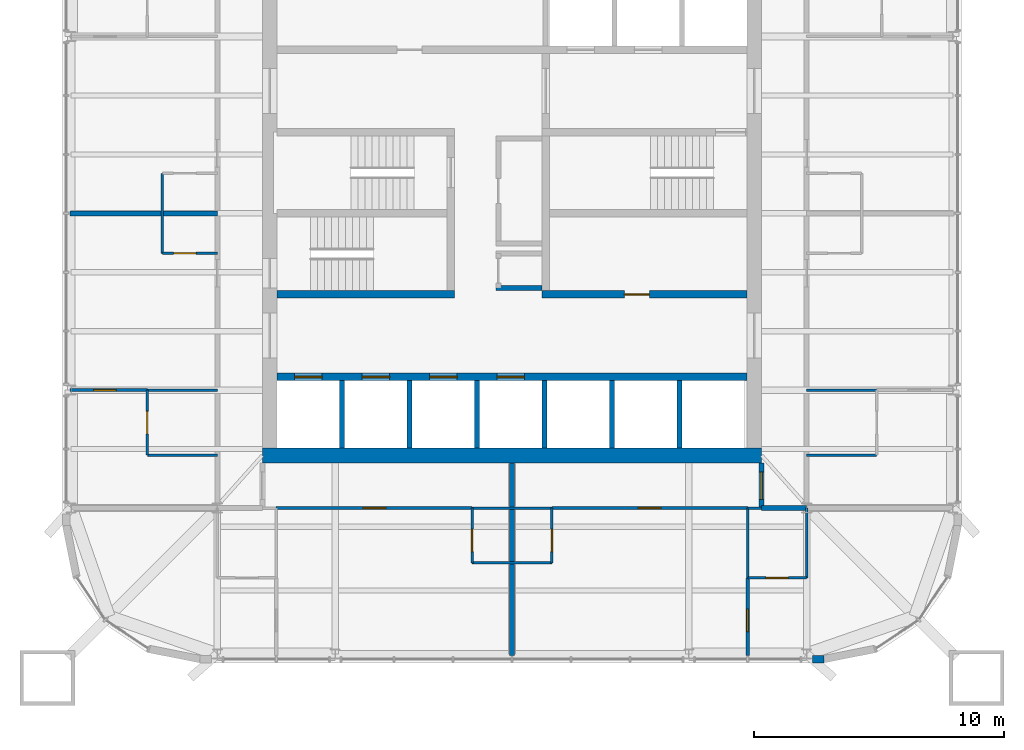
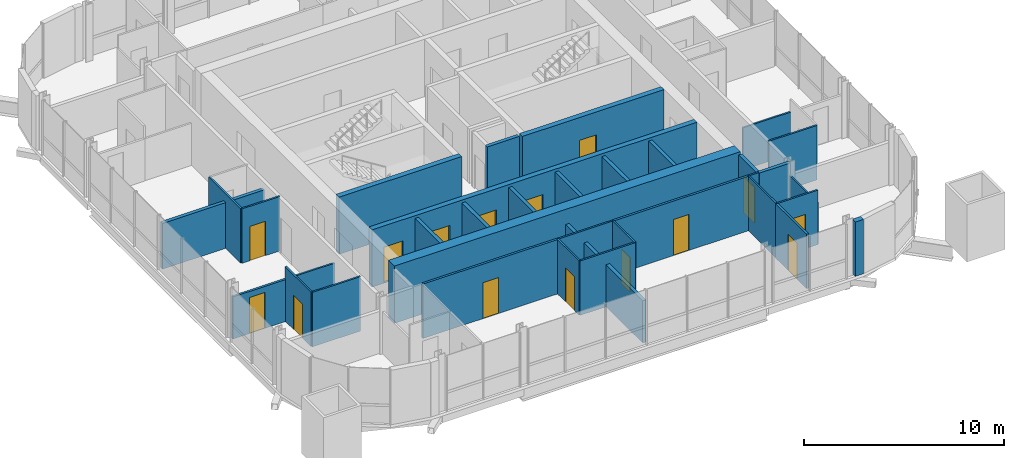
# One storey, part 8 of 12: 35 walls, 15 doors, 15 openings.
"""IFC4 building model written with IfcOpenShell, lengths in metres."""

from ifc_helpers import new_model, si_unit, direction, frame, frame_2d, origin, place, context, subcontext, project, spatial, rectangle, extrude, material, layer, layer_set, type_object, element, fill, save


model = new_model("IFC4")

# Units and contexts
model_context = context("Model", 3, precision=1e-05, world=origin(), true_north=direction((0.0, 1.0)))
body_context = subcontext(model_context, "Body", "Model", "MODEL_VIEW")
ifc_project = project(units=[si_unit("LENGTHUNIT", "METRE"), si_unit("AREAUNIT", "SQUARE_METRE"), si_unit("VOLUMEUNIT", "CUBIC_METRE"), si_unit("PLANEANGLEUNIT", "RADIAN"), si_unit("MASSUNIT", "GRAM", prefix="KILO")], contexts=[model_context])

# Site, building, storey
site_placement = place(None, origin())
site = spatial("IfcSite", under=ifc_project, at=site_placement, CompositionType="ELEMENT")
building_placement = place(site_placement, origin())
building = spatial("IfcBuilding", under=site, at=building_placement, Name="Turquesa Mirador Hotel Tower", CompositionType="ELEMENT")
storey_placement = place(building_placement, frame((0.0, 0.0, 233.699951171875)))
storey = spatial("IfcBuildingStorey", under=building, at=storey_placement, Name="L63", CompositionType="ELEMENT", Elevation=233.699951171875)

# Wall, opening, door
ifc_material_1 = material(Name="Gypsum board on steel studs", Category="steel")
ifc_layer_1 = layer(ifc_material_1, 0.10009765625)
ifc_layer_set_1 = layer_set([ifc_layer_1], Name="BATHROOM WALL 100")
wall_type_1 = type_object("IfcWallType", Name="BATHROOM WALL 100", PredefinedType="PARTITIONING", material=ifc_layer_set_1)
wall_1_placement = place(storey_placement, frame((41.0, 43.39990234375, 0.0), z_axis=(0.0, 0.0, 1.0), x_axis=(1.0, 0.0, 0.0)))
wall_1 = element("IfcWall", 1, at=wall_1_placement, inside=storey, type_object=wall_type_1, Name="Partition L63 001", PredefinedType="PARTITIONING", context=body_context, shape_type="SweptSolid", body=[
    extrude(rectangle(XDim=2.199951171875, YDim=0.10009765625, at=frame_2d((1.10009765625, 0.0))), origin(), (0.0, 0.0, 1.0), 3.330078125),
])
opening_1_placement = place(wall_1_placement, frame((0.449951171875, 0.0, 0.0)))
opening_1 = element("IfcOpeningElement", 2, at=opening_1_placement, cuts=wall_1, Name="Opening D06", PredefinedType="OPENING", context=body_context, shape_type="SweptSolid", body=[
    extrude(rectangle(XDim=0.89990234375, YDim=2.10009765625, at=frame_2d((0.449951171875, 1.050048828125))), frame((0.0, 0.06005859375, 0.0), z_axis=(0.0, -1.0, 0.0), x_axis=(1.0, 0.0, 0.0)), (0.0, 0.0, 1.0), 0.1201171875),
])
ifc_material_2 = material(Name="Laminate door", Category="wood")
door_type_1 = type_object("IfcDoorType", Name="DOOR 900X2100 WC", OperationType="SINGLE_SWING_LEFT", PredefinedType="DOOR", material=ifc_material_2)
door_1_placement = place(opening_1_placement, origin())
door_1 = element("IfcDoor", 3, at=door_1_placement, inside=storey, type_object=door_type_1, Name="Door 6307W", OperationType="SINGLE_SWING_LEFT", OverallHeight=2.10009765625, OverallWidth=0.89990234375, PredefinedType="DOOR", context=body_context, shape_type="SweptSolid", body=[
    extrude(rectangle(XDim=0.89990234375, YDim=2.10009765625, at=frame_2d((0.449951171875, 1.050048828125))), frame((0.0, 0.02490234375, 0.0), z_axis=(0.0, -1.0, 0.0), x_axis=(1.0, 0.0, 0.0)), (0.0, 0.0, 1.0), 0.050048828125),
])
fill(opening_1, door_1)

# Walls
wall_2_placement = place(storey_placement, frame((53.39990234375, 33.199951171875, 0.0), z_axis=(0.0, 0.0, 1.0), x_axis=(1.0, 0.0, 0.0)))
element("IfcWall", 4, at=wall_2_placement, inside=storey, type_object=wall_type_1, Name="Partition L63 004", PredefinedType="PARTITIONING", context=body_context, shape_type="SweptSolid", body=[
    extrude(rectangle(XDim=3.2001953125, YDim=0.10009765625, at=frame_2d((1.60009765625, 0.0))), origin(), (0.0, 0.0, 1.0), 3.330078125),
])
wall_3_placement = place(storey_placement, frame((64.43994140625, 33.199951171875, 0.0), z_axis=(0.0, 0.0, 1.0), x_axis=(1.0, 0.0, 0.0)))
element("IfcWall", 5, at=wall_3_placement, inside=storey, type_object=wall_type_1, Name="Partition L63 005", PredefinedType="PARTITIONING", context=body_context, shape_type="SweptSolid", body=[
    extrude(rectangle(XDim=0.56005859375, YDim=0.10009765625, at=frame_2d((0.280029296875, 0.0))), origin(), (0.0, 0.0, 1.0), 3.330078125),
])
wall_4_placement = place(storey_placement, frame((53.39990234375, 31.0, 0.0), z_axis=(0.0, 0.0, 1.0), x_axis=(1.0, 0.0, 0.0)))
element("IfcWall", 6, at=wall_4_placement, inside=storey, type_object=wall_type_1, Name="Partition L63 012", PredefinedType="PARTITIONING", context=body_context, shape_type="SweptSolid", body=[
    extrude(rectangle(XDim=3.2001953125, YDim=0.10009765625, at=frame_2d((1.60009765625, 0.0))), origin(), (0.0, 0.0, 1.0), 3.330078125),
])

# Wall, opening, door
wall_5_placement = place(storey_placement, frame((64.43994140625, 30.39990234375, 0.0), z_axis=(0.0, 0.0, 1.0), x_axis=(1.0, 0.0, 0.0)))
wall_5 = element("IfcWall", 7, at=wall_5_placement, inside=storey, type_object=wall_type_1, Name="Partition L63 014", PredefinedType="PARTITIONING", context=body_context, shape_type="SweptSolid", body=[
    extrude(rectangle(XDim=2.360107421875, YDim=0.10009765625, at=frame_2d((1.18017578125, 0.0))), origin(), (0.0, 0.0, 1.0), 3.330078125),
])
opening_2_placement = place(wall_5_placement, frame((0.72998046875, 0.0, 0.0)))
opening_2 = element("IfcOpeningElement", 8, at=opening_2_placement, cuts=wall_5, Name="Opening D02", PredefinedType="OPENING", context=body_context, shape_type="SweptSolid", body=[
    extrude(rectangle(XDim=0.89990234375, YDim=2.10009765625, at=frame_2d((0.449951171875, 1.050048828125))), frame((0.0, 0.06005859375, 0.0), z_axis=(0.0, -1.0, 0.0), x_axis=(1.0, 0.0, 0.0)), (0.0, 0.0, 1.0), 0.1201171875),
])
ifc_material_3 = material(Name="Timber veneered door", Category="wood")
door_type_2 = type_object("IfcDoorType", Name="DOOR 900X2100 EN-SUITE", OperationType="SINGLE_SWING_RIGHT", PredefinedType="DOOR", material=ifc_material_3)
door_2_placement = place(opening_2_placement, origin())
door_2 = element("IfcDoor", 9, at=door_2_placement, inside=storey, type_object=door_type_2, Name="Door 6304B", OperationType="SINGLE_SWING_RIGHT", OverallHeight=2.10009765625, OverallWidth=0.89990234375, PredefinedType="DOOR", context=body_context, shape_type="SweptSolid", body=[
    extrude(rectangle(XDim=0.89990234375, YDim=2.10009765625, at=frame_2d((0.449951171875, 1.050048828125))), frame((0.0, 0.02490234375, 0.0), z_axis=(0.0, -1.0, 0.0), x_axis=(1.0, 0.0, 0.0)), (0.0, 0.0, 1.0), 0.050048828125),
])
fill(opening_2, door_2)

# Walls
for number, where, z_axis, x_axis, name in (
    (10, (40.39990234375, 37.919921875, 0.0), (0.0, 0.0, 1.0), (1.0, 0.0, 0.0), "Partition L63 015"),
    (11, (66.800048828125, 37.919921875, 0.0), (0.0, 0.0, 1.0), (1.0, 0.0, 0.0), "Partition L63 016"),
):
    element("IfcWall", number, at=place(storey_placement, frame(where, z_axis=z_axis, x_axis=x_axis)), inside=storey, type_object=wall_type_1, Name=name, PredefinedType="PARTITIONING", context=body_context, shape_type="SweptSolid", body=[
        extrude(rectangle(XDim=2.800048828125, YDim=0.10009765625, at=frame_2d((1.39990234375, 0.0))), origin(), (0.0, 0.0, 1.0), 2.5732421875),
    ])
for number, where, z_axis, x_axis, name in (
    (12, (40.39990234375, 35.320068359375, 0.0), (0.0, 0.0, 1.0), (1.0, 0.0, 0.0), "Partition L63 019"),
    (13, (66.800048828125, 35.320068359375, 0.0), (0.0, 0.0, 1.0), (1.0, 0.0, 0.0), "Partition L63 020"),
):
    element("IfcWall", number, at=place(storey_placement, frame(where, z_axis=z_axis, x_axis=x_axis)), inside=storey, type_object=wall_type_1, Name=name, PredefinedType="PARTITIONING", context=body_context, shape_type="SweptSolid", body=[
        extrude(rectangle(XDim=2.800048828125, YDim=0.10009765625, at=frame_2d((1.39990234375, 0.0))), origin(), (0.0, 0.0, 1.0), 3.330078125),
    ])

# Wall, opening, door
wall_6_placement = place(storey_placement, frame((53.39990234375, 31.0, 0.0), z_axis=(0.0, 0.0, 1.0), x_axis=(0.0, 1.0, 0.0)))
wall_6 = element("IfcWall", 14, at=wall_6_placement, inside=storey, type_object=wall_type_1, Name="Partition L63 043", PredefinedType="PARTITIONING", context=body_context, shape_type="SweptSolid", body=[
    extrude(rectangle(XDim=2.199951171875, YDim=0.10009765625, at=frame_2d((1.10009765625, 0.0))), origin(), (0.0, 0.0, 1.0), 3.330078125),
])
opening_3_placement = place(wall_6_placement, frame((0.449951171875, 0.0, 0.0)))
opening_3 = element("IfcOpeningElement", 15, at=opening_3_placement, cuts=wall_6, Name="Opening D06", PredefinedType="OPENING", context=body_context, shape_type="SweptSolid", body=[
    extrude(rectangle(XDim=0.89990234375, YDim=2.10009765625, at=frame_2d((0.449951171875, 1.050048828125))), frame((0.0, 0.06005859375, 0.0), z_axis=(0.0, -1.0, 0.0), x_axis=(1.0, 0.0, 0.0)), (0.0, 0.0, 1.0), 0.1201171875),
])
door_3_placement = place(opening_3_placement, origin())
door_3 = element("IfcDoor", 16, at=door_3_placement, inside=storey, type_object=door_type_1, Name="Door 6303W", OperationType="SINGLE_SWING_LEFT", OverallHeight=2.10009765625, OverallWidth=0.89990234375, PredefinedType="DOOR", context=body_context, shape_type="SweptSolid", body=[
    extrude(rectangle(XDim=0.89990234375, YDim=2.10009765625, at=frame_2d((0.449951171875, 1.050048828125))), frame((0.0, 0.02490234375, 0.0), z_axis=(0.0, -1.0, 0.0), x_axis=(1.0, 0.0, 0.0)), (0.0, 0.0, 1.0), 0.050048828125),
])
fill(opening_3, door_3)

# Wall
wall_7_placement = place(storey_placement, frame((41.0, 43.39990234375, 0.0), z_axis=(0.0, 0.0, 1.0), x_axis=(0.0, 1.0, 0.0)))
element("IfcWall", 17, at=wall_7_placement, inside=storey, type_object=wall_type_1, Name="Partition L63 050", PredefinedType="PARTITIONING", context=body_context, shape_type="SweptSolid", body=[
    extrude(rectangle(XDim=3.2001953125, YDim=0.10009765625, at=frame_2d((1.60009765625, 0.0))), origin(), (0.0, 0.0, 1.0), 3.330078125),
])

# Wall, opening, door
wall_8_placement = place(storey_placement, frame((40.39990234375, 35.320068359375, 0.0), z_axis=(0.0, 0.0, 1.0), x_axis=(0.0, 1.0, 0.0)))
wall_8 = element("IfcWall", 18, at=wall_8_placement, inside=storey, type_object=wall_type_1, Name="Partition L63 051", PredefinedType="PARTITIONING", context=body_context, shape_type="SweptSolid", body=[
    extrude(rectangle(XDim=2.599853515625, YDim=0.10009765625, at=frame_2d((1.2998046875, 0.0))), origin(), (0.0, 0.0, 1.0), 3.330078125),
])
opening_4_placement = place(wall_8_placement, frame((0.85009765625, 0.0, 0.0)))
opening_4 = element("IfcOpeningElement", 19, at=opening_4_placement, cuts=wall_8, Name="Opening D02", PredefinedType="OPENING", context=body_context, shape_type="SweptSolid", body=[
    extrude(rectangle(XDim=0.89990234375, YDim=2.10009765625, at=frame_2d((0.449951171875, 1.050048828125))), frame((0.0, 0.06005859375, 0.0), z_axis=(0.0, -1.0, 0.0), x_axis=(1.0, 0.0, 0.0)), (0.0, 0.0, 1.0), 0.1201171875),
])
door_4_placement = place(opening_4_placement, origin())
door_4 = element("IfcDoor", 20, at=door_4_placement, inside=storey, type_object=door_type_2, Name="Door 6307B", OperationType="SINGLE_SWING_RIGHT", OverallHeight=2.10009765625, OverallWidth=0.89990234375, PredefinedType="DOOR", context=body_context, shape_type="SweptSolid", body=[
    extrude(rectangle(XDim=0.89990234375, YDim=2.10009765625, at=frame_2d((0.449951171875, 1.050048828125))), frame((0.0, 0.02490234375, 0.0), z_axis=(0.0, -1.0, 0.0), x_axis=(1.0, 0.0, 0.0)), (0.0, 0.0, 1.0), 0.050048828125),
])
fill(opening_4, door_4)

wall_9_placement = place(storey_placement, frame((56.60009765625, 31.0, 0.0), z_axis=(0.0, 0.0, 1.0), x_axis=(0.0, 1.0, 0.0)))
wall_9 = element("IfcWall", 21, at=wall_9_placement, inside=storey, type_object=wall_type_1, Name="Partition L63 059", PredefinedType="PARTITIONING", context=body_context, shape_type="SweptSolid", body=[
    extrude(rectangle(XDim=2.199951171875, YDim=0.10009765625, at=frame_2d((1.10009765625, 0.0))), origin(), (0.0, 0.0, 1.0), 3.330078125),
])
opening_5_placement = place(wall_9_placement, frame((0.449951171875, 0.0, 0.0)))
opening_5 = element("IfcOpeningElement", 22, at=opening_5_placement, cuts=wall_9, Name="Opening D06", PredefinedType="OPENING", context=body_context, shape_type="SweptSolid", body=[
    extrude(rectangle(XDim=0.89990234375, YDim=2.10009765625, at=frame_2d((0.449951171875, 1.050048828125))), frame((0.0, 0.06005859375, 0.0), z_axis=(0.0, -1.0, 0.0), x_axis=(1.0, 0.0, 0.0)), (0.0, 0.0, 1.0), 0.1201171875),
])
door_5_placement = place(opening_5_placement, origin())
door_5 = element("IfcDoor", 23, at=door_5_placement, inside=storey, type_object=door_type_1, Name="Door 6304W", OperationType="SINGLE_SWING_LEFT", OverallHeight=2.10009765625, OverallWidth=0.89990234375, PredefinedType="DOOR", context=body_context, shape_type="SweptSolid", body=[
    extrude(rectangle(XDim=0.89990234375, YDim=2.10009765625, at=frame_2d((0.449951171875, 1.050048828125))), frame((0.0, 0.02490234375, 0.0), z_axis=(0.0, -1.0, 0.0), x_axis=(1.0, 0.0, 0.0)), (0.0, 0.0, 1.0), 0.050048828125),
])
fill(opening_5, door_5)

# Walls
wall_10_placement = place(storey_placement, frame((66.800048828125, 30.39990234375, 0.0), z_axis=(0.0, 0.0, 1.0), x_axis=(0.0, 1.0, 0.0)))
element("IfcWall", 24, at=wall_10_placement, inside=storey, type_object=wall_type_1, Name="Partition L63 063", PredefinedType="PARTITIONING", context=body_context, shape_type="SweptSolid", body=[
    extrude(rectangle(XDim=2.800048828125, YDim=0.10009765625, at=frame_2d((1.39990234375, 0.0))), origin(), (0.0, 0.0, 1.0), 2.5732421875),
])
wall_11_placement = place(storey_placement, frame((64.43994140625, 30.39990234375, 0.0), z_axis=(0.0, 0.0, 1.0), x_axis=(0.0, 1.0, 0.0)))
element("IfcWall", 25, at=wall_11_placement, inside=storey, type_object=wall_type_1, Name="Partition L63 069", PredefinedType="PARTITIONING", context=body_context, shape_type="SweptSolid", body=[
    extrude(rectangle(XDim=2.800048828125, YDim=0.10009765625, at=frame_2d((1.39990234375, 0.0))), origin(), (0.0, 0.0, 1.0), 3.330078125),
])

# Wall, openings, doors
ifc_material_4 = material(Name="Concrete C50/60", Category="concrete")
ifc_layer_2 = layer(ifc_material_4, 0.300048828125)
ifc_layer_set_2 = layer_set([ifc_layer_2], Name="CORE INNER WALL 300")
wall_type_2 = type_object("IfcWallType", Name="CORE INNER WALL 300", PredefinedType="SHEAR", material=ifc_layer_set_2)
wall_12_placement = place(storey_placement, frame((45.60009765625, 38.449951171875, 0.0), z_axis=(0.0, 0.0, 1.0), x_axis=(1.0, 0.0, 0.0)))
wall_12 = element("IfcWall", 26, at=wall_12_placement, inside=storey, type_object=wall_type_2, Name="Core wall SL", PredefinedType="SHEAR", context=body_context, shape_type="SweptSolid", body=[
    extrude(rectangle(XDim=18.7998046875, YDim=0.300048828125, at=frame_2d((9.39990234375, 0.0))), origin(), (0.0, 0.0, 1.0), 3.5),
])
opening_6_placement = place(wall_12_placement, frame((0.699951171875, 0.0, 0.0)))
opening_6 = element("IfcOpeningElement", 27, at=opening_6_placement, cuts=wall_12, Name="Opening LD", PredefinedType="OPENING", context=body_context, shape_type="SweptSolid", body=[
    extrude(rectangle(XDim=1.10009765625, YDim=2.199951171875, at=frame_2d((0.550048828125, 1.10009765625))), frame((0.0, 0.159912109375, 0.0), z_axis=(0.0, -1.0, 0.0), x_axis=(1.0, 0.0, 0.0)), (0.0, 0.0, 1.0), 0.320068359375),
])
opening_7_placement = place(wall_12_placement, frame((3.39990234375, 0.0, 0.0)))
opening_7 = element("IfcOpeningElement", 28, at=opening_7_placement, cuts=wall_12, Name="Opening LD", PredefinedType="OPENING", context=body_context, shape_type="SweptSolid", body=[
    extrude(rectangle(XDim=1.10009765625, YDim=2.199951171875, at=frame_2d((0.550048828125, 1.10009765625))), frame((0.0, 0.159912109375, 0.0), z_axis=(0.0, -1.0, 0.0), x_axis=(1.0, 0.0, 0.0)), (0.0, 0.0, 1.0), 0.320068359375),
])
opening_8_placement = place(wall_12_placement, frame((6.10009765625, 0.0, 0.0)))
opening_8 = element("IfcOpeningElement", 29, at=opening_8_placement, cuts=wall_12, Name="Opening LD", PredefinedType="OPENING", context=body_context, shape_type="SweptSolid", body=[
    extrude(rectangle(XDim=1.10009765625, YDim=2.199951171875, at=frame_2d((0.550048828125, 1.10009765625))), frame((0.0, 0.159912109375, 0.0), z_axis=(0.0, -1.0, 0.0), x_axis=(1.0, 0.0, 0.0)), (0.0, 0.0, 1.0), 0.320068359375),
])
opening_9_placement = place(wall_12_placement, frame((8.800048828125, 0.0, 0.0)))
opening_9 = element("IfcOpeningElement", 30, at=opening_9_placement, cuts=wall_12, Name="Opening LD", PredefinedType="OPENING", context=body_context, shape_type="SweptSolid", body=[
    extrude(rectangle(XDim=1.10009765625, YDim=2.199951171875, at=frame_2d((0.550048828125, 1.10009765625))), frame((0.0, 0.159912109375, 0.0), z_axis=(0.0, -1.0, 0.0), x_axis=(1.0, 0.0, 0.0)), (0.0, 0.0, 1.0), 0.320068359375),
])
ifc_material_5 = material(Name="Stainless steel lift landing door", Category="steel")
door_type_3 = type_object("IfcDoorType", Name="LIFT LANDING DOOR 1100X2200", OperationType="SLIDING_TO_LEFT", PredefinedType="DOOR", material=ifc_material_5)
door_6_placement = place(opening_6_placement, origin())
door_6 = element("IfcDoor", 31, at=door_6_placement, inside=storey, type_object=door_type_3, Name="Lift B1 landing door", OperationType="SLIDING_TO_LEFT", OverallHeight=2.199951171875, OverallWidth=1.10009765625, PredefinedType="DOOR", context=body_context, shape_type="SweptSolid", body=[
    extrude(rectangle(XDim=1.10009765625, YDim=2.199951171875, at=frame_2d((0.550048828125, 1.10009765625))), frame((0.0, 0.02490234375, 0.0), z_axis=(0.0, -1.0, 0.0), x_axis=(1.0, 0.0, 0.0)), (0.0, 0.0, 1.0), 0.050048828125),
])
fill(opening_6, door_6)
door_7_placement = place(opening_7_placement, origin())
door_7 = element("IfcDoor", 32, at=door_7_placement, inside=storey, type_object=door_type_3, Name="Lift B2 landing door", OperationType="SLIDING_TO_LEFT", OverallHeight=2.199951171875, OverallWidth=1.10009765625, PredefinedType="DOOR", context=body_context, shape_type="SweptSolid", body=[
    extrude(rectangle(XDim=1.10009765625, YDim=2.199951171875, at=frame_2d((0.550048828125, 1.10009765625))), frame((0.0, 0.02490234375, 0.0), z_axis=(0.0, -1.0, 0.0), x_axis=(1.0, 0.0, 0.0)), (0.0, 0.0, 1.0), 0.050048828125),
])
fill(opening_7, door_7)
door_8_placement = place(opening_8_placement, origin())
door_8 = element("IfcDoor", 33, at=door_8_placement, inside=storey, type_object=door_type_3, Name="Lift B3 landing door", OperationType="SLIDING_TO_LEFT", OverallHeight=2.199951171875, OverallWidth=1.10009765625, PredefinedType="DOOR", context=body_context, shape_type="SweptSolid", body=[
    extrude(rectangle(XDim=1.10009765625, YDim=2.199951171875, at=frame_2d((0.550048828125, 1.10009765625))), frame((0.0, 0.02490234375, 0.0), z_axis=(0.0, -1.0, 0.0), x_axis=(1.0, 0.0, 0.0)), (0.0, 0.0, 1.0), 0.050048828125),
])
fill(opening_8, door_8)
door_9_placement = place(opening_9_placement, origin())
door_9 = element("IfcDoor", 34, at=door_9_placement, inside=storey, type_object=door_type_3, Name="Lift B4 landing door", OperationType="SLIDING_TO_LEFT", OverallHeight=2.199951171875, OverallWidth=1.10009765625, PredefinedType="DOOR", context=body_context, shape_type="SweptSolid", body=[
    extrude(rectangle(XDim=1.10009765625, YDim=2.199951171875, at=frame_2d((0.550048828125, 1.10009765625))), frame((0.0, 0.02490234375, 0.0), z_axis=(0.0, -1.0, 0.0), x_axis=(1.0, 0.0, 0.0)), (0.0, 0.0, 1.0), 0.050048828125),
])
fill(opening_9, door_9)

# Wall
wall_13_placement = place(storey_placement, frame((45.60009765625, 41.75, 0.0), z_axis=(0.0, 0.0, 1.0), x_axis=(1.0, 0.0, 0.0)))
element("IfcWall", 35, at=wall_13_placement, inside=storey, type_object=wall_type_2, Name="Core wall MS-W", PredefinedType="SHEAR", context=body_context, shape_type="SweptSolid", body=[
    extrude(rectangle(XDim=7.099853515625, YDim=0.300048828125, at=frame_2d((3.5498046875, 0.0))), origin(), (0.0, 0.0, 1.0), 3.5),
])

# Wall, opening, door
wall_14_placement = place(storey_placement, frame((56.199951171875, 41.75, 0.0), z_axis=(0.0, 0.0, 1.0), x_axis=(1.0, 0.0, 0.0)))
wall_14 = element("IfcWall", 36, at=wall_14_placement, inside=storey, type_object=wall_type_2, Name="Core wall MS-E", PredefinedType="SHEAR", context=body_context, shape_type="SweptSolid", body=[
    extrude(rectangle(XDim=8.199951171875, YDim=0.300048828125, at=frame_2d((4.10009765625, 0.0))), origin(), (0.0, 0.0, 1.0), 3.5),
])
opening_10_placement = place(wall_14_placement, frame((3.300048828125, 0.0, 0.0)))
opening_10 = element("IfcOpeningElement", 37, at=opening_10_placement, cuts=wall_14, Name="Opening D05", PredefinedType="OPENING", context=body_context, shape_type="SweptSolid", body=[
    extrude(rectangle(XDim=1.0, YDim=2.10009765625, at=frame_2d((0.5, 1.050048828125))), frame((0.0, 0.159912109375, 0.0), z_axis=(0.0, -1.0, 0.0), x_axis=(1.0, 0.0, 0.0)), (0.0, 0.0, 1.0), 0.320068359375),
])
ifc_material_6 = material(Name="Steel fire door", Category="steel")
door_type_4 = type_object("IfcDoorType", Name="DOOR 1000X2100 SERVICE", OperationType="SINGLE_SWING_LEFT", PredefinedType="DOOR", material=ifc_material_6)
door_10_placement = place(opening_10_placement, origin())
door_10 = element("IfcDoor", 38, at=door_10_placement, inside=storey, type_object=door_type_4, Name="Housekeeping room door", OperationType="SINGLE_SWING_LEFT", OverallHeight=2.10009765625, OverallWidth=1.0, PredefinedType="DOOR", context=body_context, shape_type="SweptSolid", body=[
    extrude(rectangle(XDim=1.0, YDim=2.10009765625, at=frame_2d((0.5, 1.050048828125))), frame((0.0, 0.02490234375, 0.0), z_axis=(0.0, -1.0, 0.0), x_axis=(1.0, 0.0, 0.0)), (0.0, 0.0, 1.0), 0.050048828125),
])
fill(opening_10, door_10)

# Walls
ifc_material_7 = material(Name="Concrete C50/60", Category="concrete")
ifc_layer_3 = layer(ifc_material_7, 0.60009765625)
ifc_layer_set_3 = layer_set([ifc_layer_3], Name="CORE WALL 600")
wall_type_3 = type_object("IfcWallType", Name="CORE WALL 600", PredefinedType="SHEAR", material=ifc_layer_set_3)
wall_15_placement = place(storey_placement, frame((45.0, 35.300048828125, 0.0), z_axis=(0.0, 0.0, 1.0), x_axis=(1.0, 0.0, 0.0)))
element("IfcWall", 39, at=wall_15_placement, inside=storey, type_object=wall_type_3, Name="Core wall S", PredefinedType="SHEAR", context=body_context, shape_type="SweptSolid", body=[
    extrude(rectangle(XDim=20.0, YDim=0.60009765625, at=frame_2d((10.0, 0.0))), origin(), (0.0, 0.0, 1.0), 3.5),
])
ifc_material_8 = material(Name="Fire-rated gypsum board on steel studs", Category="steel")
ifc_layer_4 = layer(ifc_material_8, 0.199951171875)
ifc_layer_set_4 = layer_set([ifc_layer_4], Name="CORRIDOR WALL 200")
wall_type_4 = type_object("IfcWallType", Name="CORRIDOR WALL 200", PredefinedType="PARTITIONING", material=ifc_layer_set_4)
wall_16_placement = place(storey_placement, frame((65.0, 33.199951171875, 0.0), z_axis=(0.0, 0.0, 1.0), x_axis=(1.0, 0.0, 0.0)))
element("IfcWall", 40, at=wall_16_placement, inside=storey, type_object=wall_type_4, Name="Partition L63 007", PredefinedType="PARTITIONING", context=body_context, shape_type="SweptSolid", body=[
    extrude(rectangle(XDim=1.800048828125, YDim=0.199951171875, at=frame_2d((0.89990234375, 0.0))), origin(), (0.0, 0.0, 1.0), 3.330078125),
])

# Wall, opening, door
wall_17_placement = place(storey_placement, frame((65.0, 33.199951171875, 0.0), z_axis=(0.0, 0.0, 1.0), x_axis=(0.0, 1.0, 0.0)))
wall_17 = element("IfcWall", 41, at=wall_17_placement, inside=storey, type_object=wall_type_4, Name="Partition L63 061", PredefinedType="PARTITIONING", context=body_context, shape_type="SweptSolid", body=[
    extrude(rectangle(XDim=1.800048828125, YDim=0.199951171875, at=frame_2d((0.89990234375, 0.0))), origin(), (0.0, 0.0, 1.0), 3.330078125),
])
opening_11_placement = place(wall_17_placement, frame((0.35009765625, 0.0, 0.0)))
opening_11 = element("IfcOpeningElement", 42, at=opening_11_placement, cuts=wall_17, Name="Opening D15", PredefinedType="OPENING", context=body_context, shape_type="SweptSolid", body=[
    extrude(rectangle(XDim=1.10009765625, YDim=2.199951171875, at=frame_2d((0.550048828125, 1.10009765625))), frame((0.0, 0.10986328125, 0.0), z_axis=(0.0, -1.0, 0.0), x_axis=(1.0, 0.0, 0.0)), (0.0, 0.0, 1.0), 0.219970703125),
])
ifc_material_9 = material(Name="Timber veneered fire door", Category="wood")
door_type_5 = type_object("IfcDoorType", Name="DOOR 1100X2200 SUITE ENTRY", OperationType="SINGLE_SWING_LEFT", PredefinedType="DOOR", material=ifc_material_9)
door_11_placement = place(opening_11_placement, origin())
door_11 = element("IfcDoor", 43, at=door_11_placement, inside=storey, type_object=door_type_5, Name="Door 6304G", OperationType="SINGLE_SWING_LEFT", OverallHeight=2.199951171875, OverallWidth=1.10009765625, PredefinedType="DOOR", context=body_context, shape_type="SweptSolid", body=[
    extrude(rectangle(XDim=1.10009765625, YDim=2.199951171875, at=frame_2d((0.550048828125, 1.10009765625))), frame((0.0, 0.02490234375, 0.0), z_axis=(0.0, -1.0, 0.0), x_axis=(1.0, 0.0, 0.0)), (0.0, 0.0, 1.0), 0.050048828125),
])
fill(opening_11, door_11)

# Walls
ifc_material_10 = material(Name="Limestone cladding on concrete block", Category="masonry")
ifc_layer_5 = layer(ifc_material_10, 0.300048828125)
ifc_layer_set_5 = layer_set([ifc_layer_5], Name="FACADE WALL 300 STONE PIER")
wall_type_5 = type_object("IfcWallType", Name="FACADE WALL 300 STONE PIER", PredefinedType="SOLIDWALL", material=ifc_layer_set_5)
wall_18_placement = place(storey_placement, frame((67.033935546875, 27.14990234375, 0.0), z_axis=(0.0, 0.0, 1.0), x_axis=(1.0, 0.0, 0.0)))
element("IfcWall", 44, at=wall_18_placement, inside=storey, type_object=wall_type_5, Name="Facade wall L63 bay CWS-L63-07d 00", PredefinedType="SOLIDWALL", context=body_context, shape_type="SweptSolid", body=[
    extrude(rectangle(XDim=0.466064453125, YDim=0.300048828125, at=frame_2d((0.23291015625, 0.0))), origin(), (0.0, 0.0, 1.0), 3.330078125),
])
ifc_material_11 = material(Name="Fire-rated gypsum board on steel studs", Category="steel")
ifc_layer_6 = layer(ifc_material_11, 0.199951171875)
ifc_layer_set_6 = layer_set([ifc_layer_6], Name="FIRE PARTITION 200")
wall_type_6 = type_object("IfcWallType", Name="FIRE PARTITION 200", PredefinedType="PARTITIONING", material=ifc_layer_set_6)
wall_19_placement = place(storey_placement, frame((54.35009765625, 42.0, 0.0), z_axis=(0.0, 0.0, 1.0), x_axis=(1.0, 0.0, 0.0)))
element("IfcWall", 45, at=wall_19_placement, inside=storey, type_object=wall_type_6, Name="Partition L63 IT S", PredefinedType="PARTITIONING", context=body_context, shape_type="SweptSolid", body=[
    extrude(rectangle(XDim=1.849853515625, YDim=0.199951171875, at=frame_2d((0.9248046875, 0.0))), origin(), (0.0, 0.0, 1.0), 3.330078125),
])
ifc_material_12 = material(Name="Fire-rated gypsum shaft wall on steel studs", Category="steel")
ifc_layer_7 = layer(ifc_material_12, 0.199951171875)
ifc_layer_set_7 = layer_set([ifc_layer_7], Name="LIFT SHAFT DIVIDER 200")
wall_type_7 = type_object("IfcWallType", Name="LIFT SHAFT DIVIDER 200", PredefinedType="PARTITIONING", material=ifc_layer_set_7)
for number, where, z_axis, x_axis, name in (
    (46, (48.199951171875, 35.60009765625, 0.0), (0.0, 0.0, 1.0), (0.0, 1.0, 0.0), "Lift shaft divider"),
    (47, (50.89990234375, 35.60009765625, 0.0), (0.0, 0.0, 1.0), (0.0, 1.0, 0.0), "Lift shaft divider"),
    (48, (53.60009765625, 35.60009765625, 0.0), (0.0, 0.0, 1.0), (0.0, 1.0, 0.0), "Lift shaft divider"),
    (49, (56.300048828125, 35.60009765625, 0.0), (0.0, 0.0, 1.0), (0.0, 1.0, 0.0), "Lift shaft divider"),
    (50, (59.0, 35.60009765625, 0.0), (0.0, 0.0, 1.0), (0.0, 1.0, 0.0), "Lift shaft divider"),
    (51, (61.699951171875, 35.60009765625, 0.0), (0.0, 0.0, 1.0), (0.0, 1.0, 0.0), "Lift shaft divider"),
):
    element("IfcWall", number, at=place(storey_placement, frame(where, z_axis=z_axis, x_axis=x_axis)), inside=storey, type_object=wall_type_7, Name=name, PredefinedType="PARTITIONING", context=body_context, shape_type="SweptSolid", body=[
        extrude(rectangle(XDim=2.699951171875, YDim=0.199951171875, at=frame_2d((1.35009765625, 0.0))), origin(), (0.0, 0.0, 1.0), 3.330078125),
    ])
ifc_material_13 = material(Name="Fire-rated gypsum board on steel studs", Category="steel")
ifc_layer_8 = layer(ifc_material_13, 0.199951171875)
ifc_layer_set_8 = layer_set([ifc_layer_8], Name="PARTY WALL 200")
wall_type_8 = type_object("IfcWallType", Name="PARTY WALL 200", PredefinedType="PARTITIONING", material=ifc_layer_set_8)
wall_20_placement = place(storey_placement, frame((37.300048828125, 45.0, 0.0), z_axis=(0.0, 0.0, 1.0), x_axis=(1.0, 0.0, 0.0)))
element("IfcWall", 52, at=wall_20_placement, inside=storey, type_object=wall_type_8, Name="Partition L63 021", PredefinedType="PARTITIONING", context=body_context, shape_type="SweptSolid", body=[
    extrude(rectangle(XDim=5.89990234375, YDim=0.199951171875, at=frame_2d((2.949951171875, 0.0))), origin(), (0.0, 0.0, 1.0), 2.796630859375),
])
wall_21_placement = place(storey_placement, frame((55.0, 27.300048828125, 0.0), z_axis=(0.0, 0.0, 1.0), x_axis=(0.0, 1.0, 0.0)))
element("IfcWall", 53, at=wall_21_placement, inside=storey, type_object=wall_type_8, Name="Partition L63 057", PredefinedType="PARTITIONING", context=body_context, shape_type="SweptSolid", body=[
    extrude(rectangle(XDim=7.699951171875, YDim=0.199951171875, at=frame_2d((3.85009765625, 0.0))), origin(), (0.0, 0.0, 1.0), 2.5732421875),
])

# Wall, opening, door
ifc_material_14 = material(Name="Acoustic gypsum board on steel studs", Category="steel")
ifc_layer_9 = layer(ifc_material_14, 0.125)
ifc_layer_set_9 = layer_set([ifc_layer_9], Name="SUITE PARTITION 125")
wall_type_9 = type_object("IfcWallType", Name="SUITE PARTITION 125", PredefinedType="PARTITIONING", material=ifc_layer_set_9)
wall_22_placement = place(storey_placement, frame((45.56005859375, 33.199951171875, 0.0), z_axis=(0.0, 0.0, 1.0), x_axis=(1.0, 0.0, 0.0)))
wall_22 = element("IfcWall", 54, at=wall_22_placement, inside=storey, type_object=wall_type_9, Name="Partition L63 010", PredefinedType="PARTITIONING", context=body_context, shape_type="SweptSolid", body=[
    extrude(rectangle(XDim=7.83984375, YDim=0.125, at=frame_2d((3.919921875, 0.0))), origin(), (0.0, 0.0, 1.0), 3.330078125),
])
opening_12_placement = place(wall_22_placement, frame((3.489990234375, 0.0, 0.0)))
opening_12 = element("IfcOpeningElement", 55, at=opening_12_placement, cuts=wall_22, Name="Opening D17", PredefinedType="OPENING", context=body_context, shape_type="SweptSolid", body=[
    extrude(rectangle(XDim=0.89990234375, YDim=2.199951171875, at=frame_2d((0.449951171875, 1.10009765625))), frame((0.0, 0.072509765625, 0.0), z_axis=(0.0, -1.0, 0.0), x_axis=(1.0, 0.0, 0.0)), (0.0, 0.0, 1.0), 0.14501953125),
])
ifc_material_15 = material(Name="Timber veneered door", Category="wood")
door_type_6 = type_object("IfcDoorType", Name="DOOR 900X2200 SUITE INTERNAL", OperationType="SINGLE_SWING_LEFT", PredefinedType="DOOR", material=ifc_material_15)
door_12_placement = place(opening_12_placement, origin())
door_12 = element("IfcDoor", 56, at=door_12_placement, inside=storey, type_object=door_type_6, Name="Door 6303", OperationType="SINGLE_SWING_LEFT", OverallHeight=2.199951171875, OverallWidth=0.89990234375, PredefinedType="DOOR", context=body_context, shape_type="SweptSolid", body=[
    extrude(rectangle(XDim=0.89990234375, YDim=2.199951171875, at=frame_2d((0.449951171875, 1.10009765625))), frame((0.0, 0.02490234375, 0.0), z_axis=(0.0, -1.0, 0.0), x_axis=(1.0, 0.0, 0.0)), (0.0, 0.0, 1.0), 0.050048828125),
])
fill(opening_12, door_12)

wall_23_placement = place(storey_placement, frame((56.60009765625, 33.199951171875, 0.0), z_axis=(0.0, 0.0, 1.0), x_axis=(1.0, 0.0, 0.0)))
wall_23 = element("IfcWall", 57, at=wall_23_placement, inside=storey, type_object=wall_type_9, Name="Partition L63 011", PredefinedType="PARTITIONING", context=body_context, shape_type="SweptSolid", body=[
    extrude(rectangle(XDim=7.83984375, YDim=0.125, at=frame_2d((3.919921875, 0.0))), origin(), (0.0, 0.0, 1.0), 3.330078125),
])
opening_13_placement = place(wall_23_placement, frame((3.449951171875, 0.0, 0.0)))
opening_13 = element("IfcOpeningElement", 58, at=opening_13_placement, cuts=wall_23, Name="Opening D17", PredefinedType="OPENING", context=body_context, shape_type="SweptSolid", body=[
    extrude(rectangle(XDim=0.89990234375, YDim=2.199951171875, at=frame_2d((0.449951171875, 1.10009765625))), frame((0.0, 0.072509765625, 0.0), z_axis=(0.0, -1.0, 0.0), x_axis=(1.0, 0.0, 0.0)), (0.0, 0.0, 1.0), 0.14501953125),
])
door_13_placement = place(opening_13_placement, origin())
door_13 = element("IfcDoor", 59, at=door_13_placement, inside=storey, type_object=door_type_6, Name="Door 6304", OperationType="SINGLE_SWING_LEFT", OverallHeight=2.199951171875, OverallWidth=0.89990234375, PredefinedType="DOOR", context=body_context, shape_type="SweptSolid", body=[
    extrude(rectangle(XDim=0.89990234375, YDim=2.199951171875, at=frame_2d((0.449951171875, 1.10009765625))), frame((0.0, 0.02490234375, 0.0), z_axis=(0.0, -1.0, 0.0), x_axis=(1.0, 0.0, 0.0)), (0.0, 0.0, 1.0), 0.050048828125),
])
fill(opening_13, door_13)

wall_24_placement = place(storey_placement, frame((37.300048828125, 37.919921875, 0.0), z_axis=(0.0, 0.0, 1.0), x_axis=(1.0, 0.0, 0.0)))
wall_24 = element("IfcWall", 60, at=wall_24_placement, inside=storey, type_object=wall_type_9, Name="Partition L63 017", PredefinedType="PARTITIONING", context=body_context, shape_type="SweptSolid", body=[
    extrude(rectangle(XDim=3.099853515625, YDim=0.125, at=frame_2d((1.5498046875, 0.0))), origin(), (0.0, 0.0, 1.0), 2.5732421875),
])
opening_14_placement = place(wall_24_placement, frame((0.949951171875, 0.0, 0.0)))
opening_14 = element("IfcOpeningElement", 61, at=opening_14_placement, cuts=wall_24, Name="Opening D17", PredefinedType="OPENING", context=body_context, shape_type="SweptSolid", body=[
    extrude(rectangle(XDim=0.89990234375, YDim=2.199951171875, at=frame_2d((0.449951171875, 1.10009765625))), frame((0.0, 0.072509765625, 0.0), z_axis=(0.0, -1.0, 0.0), x_axis=(1.0, 0.0, 0.0)), (0.0, 0.0, 1.0), 0.14501953125),
])
door_14_placement = place(opening_14_placement, origin())
door_14 = element("IfcDoor", 62, at=door_14_placement, inside=storey, type_object=door_type_6, Name="Door 6307R", OperationType="SINGLE_SWING_LEFT", OverallHeight=2.199951171875, OverallWidth=0.89990234375, PredefinedType="DOOR", context=body_context, shape_type="SweptSolid", body=[
    extrude(rectangle(XDim=0.89990234375, YDim=2.199951171875, at=frame_2d((0.449951171875, 1.10009765625))), frame((0.0, 0.02490234375, 0.0), z_axis=(0.0, -1.0, 0.0), x_axis=(1.0, 0.0, 0.0)), (0.0, 0.0, 1.0), 0.050048828125),
])
fill(opening_14, door_14)

wall_25_placement = place(storey_placement, frame((64.43994140625, 27.300048828125, 0.0), z_axis=(0.0, 0.0, 1.0), x_axis=(0.0, 1.0, 0.0)))
wall_25 = element("IfcWall", 63, at=wall_25_placement, inside=storey, type_object=wall_type_9, Name="Partition L63 071", PredefinedType="PARTITIONING", context=body_context, shape_type="SweptSolid", body=[
    extrude(rectangle(XDim=3.099853515625, YDim=0.125, at=frame_2d((1.5498046875, 0.0))), origin(), (0.0, 0.0, 1.0), 3.330078125),
])
opening_15_placement = place(wall_25_placement, frame((0.949951171875, 0.0, 0.0)))
opening_15 = element("IfcOpeningElement", 64, at=opening_15_placement, cuts=wall_25, Name="Opening D17", PredefinedType="OPENING", context=body_context, shape_type="SweptSolid", body=[
    extrude(rectangle(XDim=0.89990234375, YDim=2.199951171875, at=frame_2d((0.449951171875, 1.10009765625))), frame((0.0, 0.072509765625, 0.0), z_axis=(0.0, -1.0, 0.0), x_axis=(1.0, 0.0, 0.0)), (0.0, 0.0, 1.0), 0.14501953125),
])
door_15_placement = place(opening_15_placement, origin())
door_15 = element("IfcDoor", 65, at=door_15_placement, inside=storey, type_object=door_type_6, Name="Door 6304R", OperationType="SINGLE_SWING_LEFT", OverallHeight=2.199951171875, OverallWidth=0.89990234375, PredefinedType="DOOR", context=body_context, shape_type="SweptSolid", body=[
    extrude(rectangle(XDim=0.89990234375, YDim=2.199951171875, at=frame_2d((0.449951171875, 1.10009765625))), frame((0.0, 0.02490234375, 0.0), z_axis=(0.0, -1.0, 0.0), x_axis=(1.0, 0.0, 0.0)), (0.0, 0.0, 1.0), 0.050048828125),
])
fill(opening_15, door_15)

save(model, "model.ifc")
